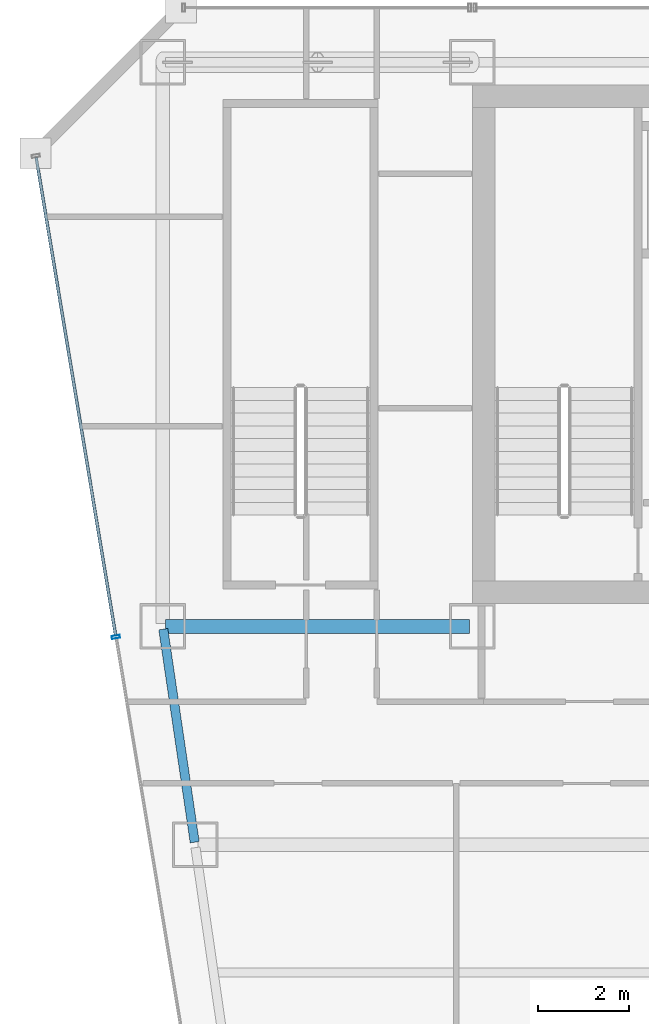
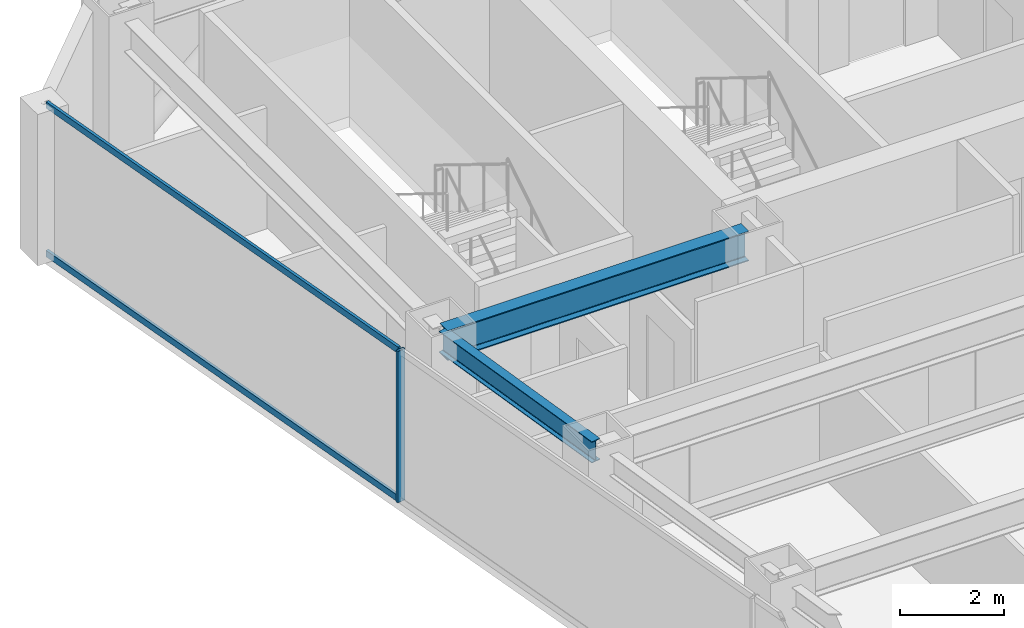
# One storey, part 20 of 38: 3 members, 2 beams, 1 element without a shape of its own.
"""IFC4 building model written with IfcOpenShell, lengths in metres."""

from ifc_helpers import new_model, si_unit, direction, frame, origin, origin_2d, place, context, subcontext, project, spatial, hollow_rectangle, i_section, extrude, material, material_profile, profile_set, type_object, element, aggregate, save


model = new_model("IFC4")

# Units and contexts
model_context = context("Model", 3, precision=1e-05, world=origin(), true_north=direction((0.0, 1.0)))
body_context = subcontext(model_context, "Body", "Model", "MODEL_VIEW")
ifc_project = project(units=[si_unit("LENGTHUNIT", "METRE"), si_unit("AREAUNIT", "SQUARE_METRE"), si_unit("VOLUMEUNIT", "CUBIC_METRE"), si_unit("PLANEANGLEUNIT", "RADIAN"), si_unit("MASSUNIT", "GRAM", prefix="KILO")], contexts=[model_context])

# Site, building, storey
site_placement = place(None, origin())
site = spatial("IfcSite", under=ifc_project, at=site_placement, CompositionType="ELEMENT")
building_placement = place(site_placement, origin())
building = spatial("IfcBuilding", under=site, at=building_placement, Name="Saevonmaru Cultural Tower", CompositionType="ELEMENT")
storey_placement = place(building_placement, frame((0.0, 0.0, 133.39990234375)))
storey = spatial("IfcBuildingStorey", under=building, at=storey_placement, Name="L28", CompositionType="ELEMENT", Elevation=133.39990234375)

# Beams
ifc_material_1 = material(Name="Steel SM355", Category="steel")
ifc_material_profile_1 = material_profile(ifc_material_1, i_section(OverallWidth=0.300048828125, OverallDepth=0.699951171875, WebThickness=0.012939453125, FlangeThickness=0.02392578125, FilletRadius=0.02587890625, at=origin_2d()), Name="H-700x300x13x24")
ifc_profile_set_1 = profile_set([ifc_material_profile_1], Name="Steel SM355")
beam_type_1 = type_object("IfcBeamType", Name="BM-G-H700", PredefinedType="BEAM", material=ifc_profile_set_1)
beam_1_placement = place(storey_placement, frame((6.860107421875, 42.39990234375, 3.2001953125), z_axis=(1.0, 0.0, 0.0), x_axis=(0.0, 1.0, 0.0)))
element("IfcBeam", 1, at=beam_1_placement, inside=storey, type_object=beam_type_1, Name="L28 Core South Girder 1", PredefinedType="BEAM", context=body_context, shape_type="SweptSolid", body=[
    extrude(i_section(OverallWidth=0.300048828125, OverallDepth=0.699951171875, WebThickness=0.012939453125, FlangeThickness=0.02392578125, FilletRadius=0.02587890625, at=origin_2d()), origin(), (0.0, 0.0, 1.0), 6.679931640625),
])
ifc_material_profile_2 = material_profile(ifc_material_1, i_section(OverallWidth=0.199951171875, OverallDepth=0.5, WebThickness=0.010009765625, FlangeThickness=0.01611328125, FilletRadius=0.02001953125, at=origin_2d()), Name="H-500x200x10x16")
ifc_profile_set_2 = profile_set([ifc_material_profile_2], Name="Steel SM355")
beam_type_2 = type_object("IfcBeamType", Name="BM-SP-H500", PredefinedType="SPANDREL", material=ifc_profile_set_2)
beam_2_placement = place(storey_placement, frame((7.499267578125, 37.659423828125, 3.300048828125), z_axis=(-0.145912860028, 0.989297446312, 0.0), x_axis=(-0.989297446312, -0.145912860028, 0.0)))
element("IfcBeam", 2, at=beam_2_placement, inside=storey, type_object=beam_type_2, Name="L28 West Splayed Spandrel 5", PredefinedType="SPANDREL", context=body_context, shape_type="SweptSolid", body=[
    extrude(i_section(OverallWidth=0.199951171875, OverallDepth=0.5, WebThickness=0.010009765625, FlangeThickness=0.01611328125, FilletRadius=0.02001953125, at=origin_2d()), origin(), (0.0, 0.0, 1.0), 4.731689453125),
])

# Curtain wall, members
ifc_material_2 = material(Name="Satin Bronze Anodised Aluminium", Category="aluminium")
curtain_wall_type = type_object("IfcCurtainWallType", Name="CW-TYP-A", PredefinedType="NOTDEFINED", material=ifc_material_2)
curtain_wall_placement = place(storey_placement, origin())
curtain_wall = element("IfcCurtainWall", 3, at=curtain_wall_placement, inside=storey, type_object=curtain_wall_type, Name="L28 Unitised Curtain Wall E12", PredefinedType="NOTDEFINED")
ifc_material_profile_3 = material_profile(ifc_material_2, hollow_rectangle(XDim=0.06494140625, YDim=0.179931640625, WallThickness=0.00390625, at=origin_2d()), Name="ALU-MULL-180x65x4")
ifc_profile_set_3 = profile_set([ifc_material_profile_3], Name="Satin Bronze Anodised Aluminium")
member_type_1 = type_object("IfcMemberType", Name="ML-CW-180x65", PredefinedType="MULLION", material=ifc_profile_set_3)
member_1_placement = place(storey_placement, frame((5.76708984375, 42.17041015625, 0.0), z_axis=(0.0, 0.0, 1.0), x_axis=(0.163998702345, -0.986460554523, 0.0)))
member_1 = element("IfcMember", 4, at=member_1_placement, type_object=member_type_1, Name="CW-TW-L28-E12 mullion 2", PredefinedType="MULLION", context=body_context, shape_type="SweptSolid", body=[
    extrude(hollow_rectangle(XDim=0.06494140625, YDim=0.179931640625, WallThickness=0.00390625, at=origin_2d()), origin(), (0.0, 0.0, 1.0), 3.550048828125),
])
ifc_material_profile_4 = material_profile(ifc_material_2, hollow_rectangle(XDim=0.06494140625, YDim=0.14990234375, WallThickness=0.00390625, at=origin_2d()), Name="ALU-TRAN-150x65x4")
ifc_profile_set_4 = profile_set([ifc_material_profile_4], Name="Satin Bronze Anodised Aluminium")
member_type_2 = type_object("IfcMemberType", Name="TR-CW-150x65", PredefinedType="USERDEFINED", material=ifc_profile_set_4)
member_2_placement = place(storey_placement, frame((4.01513671875, 52.708740234375, 0.03271484375), z_axis=(0.163990079074, -0.9864619881, 0.0), x_axis=(0.9864619881, 0.163990079074, 0.0)))
member_2 = element("IfcMember", 5, at=member_2_placement, type_object=member_type_2, Name="CW-TW-L28-E12 transom 1.1", ObjectType="TRANSOM", PredefinedType="USERDEFINED", context=body_context, shape_type="SweptSolid", body=[
    extrude(hollow_rectangle(XDim=0.06494140625, YDim=0.14990234375, WallThickness=0.00390625, at=origin_2d()), origin(), (0.0, 0.0, 1.0), 10.650634765625),
])
member_3_placement = place(storey_placement, frame((4.01513671875, 52.708740234375, 3.517578125), z_axis=(0.163990079074, -0.9864619881, 0.0), x_axis=(0.9864619881, 0.163990079074, 0.0)))
member_3 = element("IfcMember", 6, at=member_3_placement, type_object=member_type_2, Name="CW-TW-L28-E12 transom 1.2", ObjectType="TRANSOM", PredefinedType="USERDEFINED", context=body_context, shape_type="SweptSolid", body=[
    extrude(hollow_rectangle(XDim=0.06494140625, YDim=0.14990234375, WallThickness=0.00390625, at=origin_2d()), origin(), (0.0, 0.0, 1.0), 10.650634765625),
])
aggregate(curtain_wall, [member_1, member_2, member_3])

save(model, "model.ifc")
